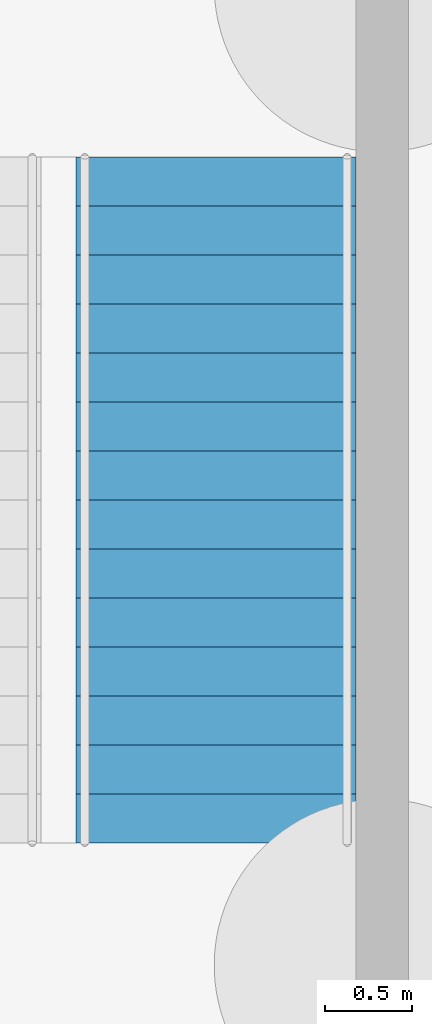
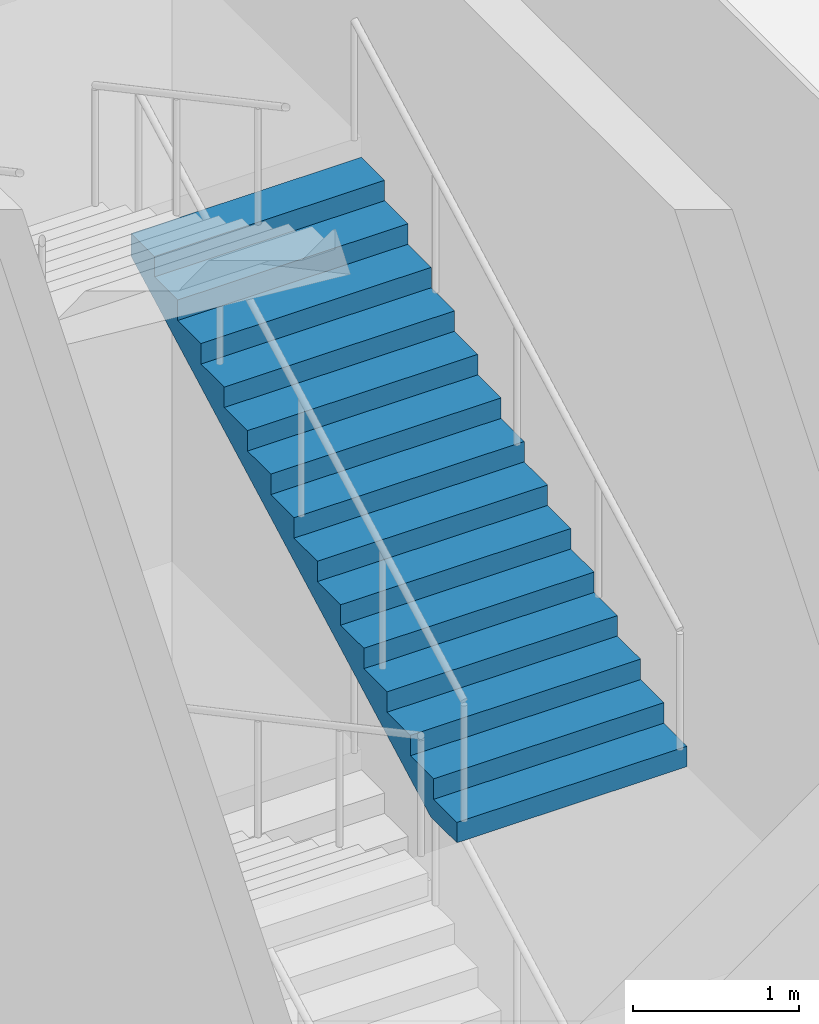
# One storey, part 107 of 113: 1 stair flight, 1 element without a shape of its own.
"""IFC4 building model written with IfcOpenShell, lengths in metres."""

from ifc_helpers import new_model, si_unit, direction, frame, origin, place, context, subcontext, project, spatial, triangles, material, type_object, element, aggregate, save


model = new_model("IFC4")

# Units and contexts
model_context = context("Model", 3, precision=1e-05, world=origin(), true_north=direction((0.0, 1.0)))
body_context = subcontext(model_context, "Body", "Model", "MODEL_VIEW")
ifc_project = project(units=[si_unit("LENGTHUNIT", "METRE"), si_unit("AREAUNIT", "SQUARE_METRE"), si_unit("VOLUMEUNIT", "CUBIC_METRE"), si_unit("PLANEANGLEUNIT", "RADIAN"), si_unit("MASSUNIT", "GRAM", prefix="KILO")], contexts=[model_context])

# Site, building, storey
site_placement = place(None, origin())
site = spatial("IfcSite", under=ifc_project, at=site_placement, CompositionType="ELEMENT")
building_placement = place(site_placement, origin())
building = spatial("IfcBuilding", under=site, at=building_placement, Name="Hakoniwa Tower and Hamabe Station Hall", CompositionType="ELEMENT")
storey_placement = place(building_placement, origin())
storey = spatial("IfcBuildingStorey", under=building, at=storey_placement, Name="L01", CompositionType="ELEMENT", Elevation=0.0)

# Stair, stair flight
ifc_material_1 = material(Name="Concrete C40", Category="concrete")
stair_type = type_object("IfcStairType", Name="STAIR 1600 15X150", PredefinedType="HALF_TURN_STAIR", material=ifc_material_1)
stair_placement = place(storey_placement, origin())
stair = element("IfcStair", 1, at=stair_placement, inside=storey, type_object=stair_type, Name="Escape stair SS2 L01", PredefinedType="HALF_TURN_STAIR")
ifc_material_2 = material(Name="Concrete C40", Category="concrete")
stair_flight_type = type_object("IfcStairFlightType", Name="STAIR FLIGHT 1600", PredefinedType="STRAIGHT", material=ifc_material_2)
stair_flight_placement = place(storey_placement, frame((167.64990234375, 16.89990234375, 4.5), z_axis=(0.0, 0.0, 1.0), x_axis=(0.0, 1.0, 0.0)))
stair_flight = element("IfcStairFlight", 2, at=stair_flight_placement, type_object=stair_flight_type, Name="SS2 flight 3", NumberOfRisers=15, NumberOfTreads=14, PredefinedType="STRAIGHT", RiserHeight=0.15, TreadLength=0.28, context=body_context, shape_type="Tessellation", body=[
    triangles([(0.0, 0.800048828125, 0.0), (0.280029296875, 0.800048828125, 0.0), (0.3173828125, 0.800048828125, 0.0), (0.56005859375, 0.800048828125, 0.1298828125), (0.840087890625, 0.800048828125, 0.280029296875), (1.1201171875, 0.800048828125, 0.429931640625), (1.39990234375, 0.800048828125, 0.579833984375), (1.679931640625, 0.800048828125, 0.72998046875), (1.9599609375, 0.800048828125, 0.8798828125), (2.239990234375, 0.800048828125, 1.030029296875), (2.52001953125, 0.800048828125, 1.179931640625), (2.800048828125, 0.800048828125, 1.329833984375), (3.080078125, 0.800048828125, 1.47998046875), (3.360107421875, 0.800048828125, 1.6298828125), (3.639892578125, 0.800048828125, 1.780029296875), (3.919921875, 0.800048828125, 1.929931640625), (3.919921875, 0.800048828125, 2.10009765625), (3.639892578125, 0.800048828125, 2.10009765625), (3.639892578125, 0.800048828125, 1.949951171875), (3.360107421875, 0.800048828125, 1.949951171875), (3.360107421875, 0.800048828125, 1.800048828125), (3.080078125, 0.800048828125, 1.800048828125), (3.080078125, 0.800048828125, 1.64990234375), (2.800048828125, 0.800048828125, 1.64990234375), (2.800048828125, 0.800048828125, 1.5), (2.52001953125, 0.800048828125, 1.5), (2.52001953125, 0.800048828125, 1.35009765625), (2.239990234375, 0.800048828125, 1.35009765625), (2.239990234375, 0.800048828125, 1.199951171875), (1.9599609375, 0.800048828125, 1.199951171875), (1.9599609375, 0.800048828125, 1.050048828125), (1.679931640625, 0.800048828125, 1.050048828125), (1.679931640625, 0.800048828125, 0.89990234375), (1.39990234375, 0.800048828125, 0.89990234375), (1.39990234375, 0.800048828125, 0.75), (1.1201171875, 0.800048828125, 0.75), (1.1201171875, 0.800048828125, 0.60009765625), (0.840087890625, 0.800048828125, 0.60009765625), (0.840087890625, 0.800048828125, 0.449951171875), (0.56005859375, 0.800048828125, 0.449951171875), (0.56005859375, 0.800048828125, 0.300048828125), (0.3173828125, 0.800048828125, 0.300048828125), (0.280029296875, 0.800048828125, 0.300048828125), (0.280029296875, 0.800048828125, 0.14990234375), (0.0, 0.800048828125, 0.14990234375), (0.0, 0.06005859375, 0.0), (0.280029296875, 0.06005859375, 0.0), (0.3173828125, 0.06005859375, 0.0), (0.56005859375, 0.06005859375, 0.1298828125), (0.840087890625, 0.06005859375, 0.280029296875), (1.1201171875, 0.06005859375, 0.429931640625), (1.39990234375, 0.06005859375, 0.579833984375), (1.679931640625, 0.06005859375, 0.72998046875), (1.9599609375, 0.06005859375, 0.8798828125), (2.239990234375, 0.06005859375, 1.030029296875), (2.52001953125, 0.06005859375, 1.179931640625), (2.800048828125, 0.06005859375, 1.329833984375), (3.080078125, 0.06005859375, 1.47998046875), (3.360107421875, 0.06005859375, 1.6298828125), (3.639892578125, 0.06005859375, 1.780029296875), (3.919921875, 0.06005859375, 1.929931640625), (3.919921875, 0.06005859375, 2.10009765625), (3.639892578125, 0.06005859375, 2.10009765625), (3.639892578125, 0.06005859375, 1.949951171875), (3.360107421875, 0.06005859375, 1.949951171875), (3.360107421875, 0.06005859375, 1.800048828125), (3.080078125, 0.06005859375, 1.800048828125), (3.080078125, 0.06005859375, 1.64990234375), (2.800048828125, 0.06005859375, 1.64990234375), (2.800048828125, 0.06005859375, 1.5), (2.52001953125, 0.06005859375, 1.5), (2.52001953125, 0.06005859375, 1.35009765625), (2.239990234375, 0.06005859375, 1.35009765625), (2.239990234375, 0.06005859375, 1.199951171875), (1.9599609375, 0.06005859375, 1.199951171875), (1.9599609375, 0.06005859375, 1.050048828125), (1.679931640625, 0.06005859375, 1.050048828125), (1.679931640625, 0.06005859375, 0.89990234375), (1.39990234375, 0.06005859375, 0.89990234375), (1.39990234375, 0.06005859375, 0.75), (1.1201171875, 0.06005859375, 0.75), (1.1201171875, 0.06005859375, 0.60009765625), (0.840087890625, 0.06005859375, 0.60009765625), (0.840087890625, 0.06005859375, 0.449951171875), (0.56005859375, 0.06005859375, 0.449951171875), (0.56005859375, 0.06005859375, 0.300048828125), (0.3173828125, 0.06005859375, 0.300048828125), (0.280029296875, 0.06005859375, 0.300048828125), (0.280029296875, 0.06005859375, 0.14990234375), (0.0, 0.06005859375, 0.14990234375), (0.0, 0.02001953125, 0.0), (0.280029296875, 0.02001953125, 0.0), (0.3173828125, 0.02001953125, 0.0), (0.56005859375, 0.02001953125, 0.1298828125), (0.840087890625, 0.02001953125, 0.280029296875), (1.1201171875, 0.02001953125, 0.429931640625), (1.39990234375, 0.02001953125, 0.579833984375), (1.679931640625, 0.02001953125, 0.72998046875), (1.9599609375, 0.02001953125, 0.8798828125), (2.239990234375, 0.02001953125, 1.030029296875), (2.52001953125, 0.02001953125, 1.179931640625), (2.800048828125, 0.02001953125, 1.329833984375), (3.080078125, 0.02001953125, 1.47998046875), (3.360107421875, 0.02001953125, 1.6298828125), (3.639892578125, 0.02001953125, 1.780029296875), (3.919921875, 0.02001953125, 1.929931640625), (3.919921875, 0.02001953125, 2.10009765625), (3.639892578125, 0.02001953125, 2.10009765625), (3.639892578125, 0.02001953125, 1.949951171875), (3.360107421875, 0.02001953125, 1.949951171875), (3.360107421875, 0.02001953125, 1.800048828125), (3.080078125, 0.02001953125, 1.800048828125), (3.080078125, 0.02001953125, 1.64990234375), (2.800048828125, 0.02001953125, 1.64990234375), (2.800048828125, 0.02001953125, 1.5), (2.52001953125, 0.02001953125, 1.5), (2.52001953125, 0.02001953125, 1.35009765625), (2.239990234375, 0.02001953125, 1.35009765625), (2.239990234375, 0.02001953125, 1.199951171875), (1.9599609375, 0.02001953125, 1.199951171875), (1.9599609375, 0.02001953125, 1.050048828125), (1.679931640625, 0.02001953125, 1.050048828125), (1.679931640625, 0.02001953125, 0.89990234375), (1.39990234375, 0.02001953125, 0.89990234375), (1.39990234375, 0.02001953125, 0.75), (1.1201171875, 0.02001953125, 0.75), (1.1201171875, 0.02001953125, 0.60009765625), (0.840087890625, 0.02001953125, 0.60009765625), (0.840087890625, 0.02001953125, 0.449951171875), (0.56005859375, 0.02001953125, 0.449951171875), (0.56005859375, 0.02001953125, 0.300048828125), (0.3173828125, 0.02001953125, 0.300048828125), (0.280029296875, 0.02001953125, 0.300048828125), (0.280029296875, 0.02001953125, 0.14990234375), (0.0, 0.02001953125, 0.14990234375), (0.0, -0.02001953125, 0.0), (0.280029296875, -0.02001953125, 0.0), (0.3173828125, -0.02001953125, 0.0), (0.56005859375, -0.02001953125, 0.1298828125), (0.840087890625, -0.02001953125, 0.280029296875), (1.1201171875, -0.02001953125, 0.429931640625), (1.39990234375, -0.02001953125, 0.579833984375), (1.679931640625, -0.02001953125, 0.72998046875), (1.9599609375, -0.02001953125, 0.8798828125), (2.239990234375, -0.02001953125, 1.030029296875), (2.52001953125, -0.02001953125, 1.179931640625), (2.800048828125, -0.02001953125, 1.329833984375), (3.080078125, -0.02001953125, 1.47998046875), (3.360107421875, -0.02001953125, 1.6298828125), (3.639892578125, -0.02001953125, 1.780029296875), (3.919921875, -0.02001953125, 1.929931640625), (3.919921875, -0.02001953125, 2.10009765625), (3.639892578125, -0.02001953125, 2.10009765625), (3.639892578125, -0.02001953125, 1.949951171875), (3.360107421875, -0.02001953125, 1.949951171875), (3.360107421875, -0.02001953125, 1.800048828125), (3.080078125, -0.02001953125, 1.800048828125), (3.080078125, -0.02001953125, 1.64990234375), (2.800048828125, -0.02001953125, 1.64990234375), (2.800048828125, -0.02001953125, 1.5), (2.52001953125, -0.02001953125, 1.5), (2.52001953125, -0.02001953125, 1.35009765625), (2.239990234375, -0.02001953125, 1.35009765625), (2.239990234375, -0.02001953125, 1.199951171875), (1.9599609375, -0.02001953125, 1.199951171875), (1.9599609375, -0.02001953125, 1.050048828125), (1.679931640625, -0.02001953125, 1.050048828125), (1.679931640625, -0.02001953125, 0.89990234375), (1.39990234375, -0.02001953125, 0.89990234375), (1.39990234375, -0.02001953125, 0.75), (1.1201171875, -0.02001953125, 0.75), (1.1201171875, -0.02001953125, 0.60009765625), (0.840087890625, -0.02001953125, 0.60009765625), (0.840087890625, -0.02001953125, 0.449951171875), (0.56005859375, -0.02001953125, 0.449951171875), (0.56005859375, -0.02001953125, 0.300048828125), (0.3173828125, -0.02001953125, 0.300048828125), (0.280029296875, -0.02001953125, 0.300048828125), (0.280029296875, -0.02001953125, 0.14990234375), (0.0, -0.02001953125, 0.14990234375), (0.0, -0.06005859375, 0.0), (0.280029296875, -0.06005859375, 0.0), (0.3173828125, -0.06005859375, 0.0), (0.56005859375, -0.06005859375, 0.1298828125), (0.840087890625, -0.06005859375, 0.280029296875), (1.1201171875, -0.06005859375, 0.429931640625), (1.39990234375, -0.06005859375, 0.579833984375), (1.679931640625, -0.06005859375, 0.72998046875), (1.9599609375, -0.06005859375, 0.8798828125), (2.239990234375, -0.06005859375, 1.030029296875), (2.52001953125, -0.06005859375, 1.179931640625), (2.800048828125, -0.06005859375, 1.329833984375), (3.080078125, -0.06005859375, 1.47998046875), (3.360107421875, -0.06005859375, 1.6298828125), (3.639892578125, -0.06005859375, 1.780029296875), (3.919921875, -0.06005859375, 1.929931640625), (3.919921875, -0.06005859375, 2.10009765625), (3.639892578125, -0.06005859375, 2.10009765625), (3.639892578125, -0.06005859375, 1.949951171875), (3.360107421875, -0.06005859375, 1.949951171875), (3.360107421875, -0.06005859375, 1.800048828125), (3.080078125, -0.06005859375, 1.800048828125), (3.080078125, -0.06005859375, 1.64990234375), (2.800048828125, -0.06005859375, 1.64990234375), (2.800048828125, -0.06005859375, 1.5), (2.52001953125, -0.06005859375, 1.5), (2.52001953125, -0.06005859375, 1.35009765625), (2.239990234375, -0.06005859375, 1.35009765625), (2.239990234375, -0.06005859375, 1.199951171875), (1.9599609375, -0.06005859375, 1.199951171875), (1.9599609375, -0.06005859375, 1.050048828125), (1.679931640625, -0.06005859375, 1.050048828125), (1.679931640625, -0.06005859375, 0.89990234375), (1.39990234375, -0.06005859375, 0.89990234375), (1.39990234375, -0.06005859375, 0.75), (1.1201171875, -0.06005859375, 0.75), (1.1201171875, -0.06005859375, 0.60009765625), (0.840087890625, -0.06005859375, 0.60009765625), (0.840087890625, -0.06005859375, 0.449951171875), (0.56005859375, -0.06005859375, 0.449951171875), (0.56005859375, -0.06005859375, 0.300048828125), (0.3173828125, -0.06005859375, 0.300048828125), (0.280029296875, -0.06005859375, 0.300048828125), (0.280029296875, -0.06005859375, 0.14990234375), (0.0, -0.06005859375, 0.14990234375), (0.0, -0.800048828125, 0.0), (0.280029296875, -0.800048828125, 0.0), (0.3173828125, -0.800048828125, 0.0), (0.56005859375, -0.800048828125, 0.1298828125), (0.840087890625, -0.800048828125, 0.280029296875), (1.1201171875, -0.800048828125, 0.429931640625), (1.39990234375, -0.800048828125, 0.579833984375), (1.679931640625, -0.800048828125, 0.72998046875), (1.9599609375, -0.800048828125, 0.8798828125), (2.239990234375, -0.800048828125, 1.030029296875), (2.52001953125, -0.800048828125, 1.179931640625), (2.800048828125, -0.800048828125, 1.329833984375), (3.080078125, -0.800048828125, 1.47998046875), (3.360107421875, -0.800048828125, 1.6298828125), (3.639892578125, -0.800048828125, 1.780029296875), (3.919921875, -0.800048828125, 1.929931640625), (3.919921875, -0.800048828125, 2.10009765625), (3.639892578125, -0.800048828125, 2.10009765625), (3.639892578125, -0.800048828125, 1.949951171875), (3.360107421875, -0.800048828125, 1.949951171875), (3.360107421875, -0.800048828125, 1.800048828125), (3.080078125, -0.800048828125, 1.800048828125), (3.080078125, -0.800048828125, 1.64990234375), (2.800048828125, -0.800048828125, 1.64990234375), (2.800048828125, -0.800048828125, 1.5), (2.52001953125, -0.800048828125, 1.5), (2.52001953125, -0.800048828125, 1.35009765625), (2.239990234375, -0.800048828125, 1.35009765625), (2.239990234375, -0.800048828125, 1.199951171875), (1.9599609375, -0.800048828125, 1.199951171875), (1.9599609375, -0.800048828125, 1.050048828125), (1.679931640625, -0.800048828125, 1.050048828125), (1.679931640625, -0.800048828125, 0.89990234375), (1.39990234375, -0.800048828125, 0.89990234375), (1.39990234375, -0.800048828125, 0.75), (1.1201171875, -0.800048828125, 0.75), (1.1201171875, -0.800048828125, 0.60009765625), (0.840087890625, -0.800048828125, 0.60009765625), (0.840087890625, -0.800048828125, 0.449951171875), (0.56005859375, -0.800048828125, 0.449951171875), (0.56005859375, -0.800048828125, 0.300048828125), (0.3173828125, -0.800048828125, 0.300048828125), (0.280029296875, -0.800048828125, 0.300048828125), (0.280029296875, -0.800048828125, 0.14990234375), (0.0, -0.800048828125, 0.14990234375)], [[2, 45, 44], [227, 269, 270], [2, 1, 45], [227, 270, 226], [3, 43, 42], [228, 267, 268], [3, 44, 43], [228, 268, 269], [3, 2, 44], [228, 269, 227], [4, 42, 41], [229, 266, 267], [4, 3, 42], [229, 267, 228], [5, 40, 39], [230, 264, 265], [5, 41, 40], [230, 265, 266], [5, 4, 41], [230, 266, 229], [6, 38, 37], [231, 262, 263], [6, 39, 38], [231, 263, 264], [6, 5, 39], [231, 264, 230], [7, 36, 35], [232, 260, 261], [7, 37, 36], [232, 261, 262], [7, 6, 37], [232, 262, 231], [8, 34, 33], [233, 258, 259], [8, 35, 34], [233, 259, 260], [8, 7, 35], [233, 260, 232], [9, 32, 31], [234, 256, 257], [9, 33, 32], [234, 257, 258], [9, 8, 33], [234, 258, 233], [10, 30, 29], [235, 254, 255], [10, 31, 30], [235, 255, 256], [10, 9, 31], [235, 256, 234], [11, 28, 27], [236, 252, 253], [11, 29, 28], [236, 253, 254], [11, 10, 29], [236, 254, 235], [12, 26, 25], [237, 250, 251], [12, 27, 26], [237, 251, 252], [12, 11, 27], [237, 252, 236], [13, 24, 23], [238, 248, 249], [13, 25, 24], [238, 249, 250], [13, 12, 25], [238, 250, 237], [14, 22, 21], [239, 246, 247], [14, 23, 22], [239, 247, 248], [14, 13, 23], [239, 248, 238], [15, 20, 19], [240, 244, 245], [15, 21, 20], [240, 245, 246], [15, 14, 21], [240, 246, 239], [16, 18, 17], [241, 242, 243], [16, 19, 18], [241, 243, 244], [16, 15, 19], [241, 244, 240], [1, 2, 47], [1, 47, 46], [46, 47, 92], [46, 92, 91], [91, 92, 137], [91, 137, 136], [136, 137, 182], [136, 182, 181], [181, 182, 227], [181, 227, 226], [2, 3, 48], [2, 48, 47], [47, 48, 93], [47, 93, 92], [92, 93, 138], [92, 138, 137], [137, 138, 183], [137, 183, 182], [182, 183, 228], [182, 228, 227], [3, 4, 49], [3, 49, 48], [48, 49, 94], [48, 94, 93], [93, 94, 139], [93, 139, 138], [138, 139, 184], [138, 184, 183], [183, 184, 229], [183, 229, 228], [4, 5, 50], [4, 50, 49], [49, 50, 95], [49, 95, 94], [94, 95, 140], [94, 140, 139], [139, 140, 185], [139, 185, 184], [184, 185, 230], [184, 230, 229], [5, 6, 51], [5, 51, 50], [50, 51, 96], [50, 96, 95], [95, 96, 141], [95, 141, 140], [140, 141, 186], [140, 186, 185], [185, 186, 231], [185, 231, 230], [6, 7, 52], [6, 52, 51], [51, 52, 97], [51, 97, 96], [96, 97, 142], [96, 142, 141], [141, 142, 187], [141, 187, 186], [186, 187, 232], [186, 232, 231], [7, 8, 53], [7, 53, 52], [52, 53, 98], [52, 98, 97], [97, 98, 143], [97, 143, 142], [142, 143, 188], [142, 188, 187], [187, 188, 233], [187, 233, 232], [8, 9, 54], [8, 54, 53], [53, 54, 99], [53, 99, 98], [98, 99, 144], [98, 144, 143], [143, 144, 189], [143, 189, 188], [188, 189, 234], [188, 234, 233], [9, 10, 55], [9, 55, 54], [54, 55, 100], [54, 100, 99], [99, 100, 145], [99, 145, 144], [144, 145, 190], [144, 190, 189], [189, 190, 235], [189, 235, 234], [10, 11, 56], [10, 56, 55], [55, 56, 101], [55, 101, 100], [100, 101, 146], [100, 146, 145], [145, 146, 191], [145, 191, 190], [190, 191, 236], [190, 236, 235], [11, 12, 57], [11, 57, 56], [56, 57, 102], [56, 102, 101], [101, 102, 147], [101, 147, 146], [146, 147, 192], [146, 192, 191], [191, 192, 237], [191, 237, 236], [12, 13, 58], [12, 58, 57], [57, 58, 103], [57, 103, 102], [102, 103, 148], [102, 148, 147], [147, 148, 193], [147, 193, 192], [192, 193, 238], [192, 238, 237], [13, 14, 59], [13, 59, 58], [58, 59, 104], [58, 104, 103], [103, 104, 149], [103, 149, 148], [148, 149, 194], [148, 194, 193], [193, 194, 239], [193, 239, 238], [14, 15, 60], [14, 60, 59], [59, 60, 105], [59, 105, 104], [104, 105, 150], [104, 150, 149], [149, 150, 195], [149, 195, 194], [194, 195, 240], [194, 240, 239], [15, 16, 61], [15, 61, 60], [60, 61, 106], [60, 106, 105], [105, 106, 151], [105, 151, 150], [150, 151, 196], [150, 196, 195], [195, 196, 241], [195, 241, 240], [16, 17, 62], [16, 62, 61], [61, 62, 107], [61, 107, 106], [106, 107, 152], [106, 152, 151], [151, 152, 197], [151, 197, 196], [196, 197, 242], [196, 242, 241], [17, 18, 63], [17, 63, 62], [62, 63, 108], [62, 108, 107], [107, 108, 153], [107, 153, 152], [152, 153, 198], [152, 198, 197], [197, 198, 243], [197, 243, 242], [18, 19, 64], [18, 64, 63], [63, 64, 109], [63, 109, 108], [108, 109, 154], [108, 154, 153], [153, 154, 199], [153, 199, 198], [198, 199, 244], [198, 244, 243], [19, 20, 65], [19, 65, 64], [64, 65, 110], [64, 110, 109], [109, 110, 155], [109, 155, 154], [154, 155, 200], [154, 200, 199], [199, 200, 245], [199, 245, 244], [20, 21, 66], [20, 66, 65], [65, 66, 111], [65, 111, 110], [110, 111, 156], [110, 156, 155], [155, 156, 201], [155, 201, 200], [200, 201, 246], [200, 246, 245], [21, 22, 67], [21, 67, 66], [66, 67, 112], [66, 112, 111], [111, 112, 157], [111, 157, 156], [156, 157, 202], [156, 202, 201], [201, 202, 247], [201, 247, 246], [22, 23, 68], [22, 68, 67], [67, 68, 113], [67, 113, 112], [112, 113, 158], [112, 158, 157], [157, 158, 203], [157, 203, 202], [202, 203, 248], [202, 248, 247], [23, 24, 69], [23, 69, 68], [68, 69, 114], [68, 114, 113], [113, 114, 159], [113, 159, 158], [158, 159, 204], [158, 204, 203], [203, 204, 249], [203, 249, 248], [24, 25, 70], [24, 70, 69], [69, 70, 115], [69, 115, 114], [114, 115, 160], [114, 160, 159], [159, 160, 205], [159, 205, 204], [204, 205, 250], [204, 250, 249], [25, 26, 71], [25, 71, 70], [70, 71, 116], [70, 116, 115], [115, 116, 161], [115, 161, 160], [160, 161, 206], [160, 206, 205], [205, 206, 251], [205, 251, 250], [26, 27, 72], [26, 72, 71], [71, 72, 117], [71, 117, 116], [116, 117, 162], [116, 162, 161], [161, 162, 207], [161, 207, 206], [206, 207, 252], [206, 252, 251], [27, 28, 73], [27, 73, 72], [72, 73, 118], [72, 118, 117], [117, 118, 163], [117, 163, 162], [162, 163, 208], [162, 208, 207], [207, 208, 253], [207, 253, 252], [28, 29, 74], [28, 74, 73], [73, 74, 119], [73, 119, 118], [118, 119, 164], [118, 164, 163], [163, 164, 209], [163, 209, 208], [208, 209, 254], [208, 254, 253], [29, 30, 75], [29, 75, 74], [74, 75, 120], [74, 120, 119], [119, 120, 165], [119, 165, 164], [164, 165, 210], [164, 210, 209], [209, 210, 255], [209, 255, 254], [30, 31, 76], [30, 76, 75], [75, 76, 121], [75, 121, 120], [120, 121, 166], [120, 166, 165], [165, 166, 211], [165, 211, 210], [210, 211, 256], [210, 256, 255], [31, 32, 77], [31, 77, 76], [76, 77, 122], [76, 122, 121], [121, 122, 167], [121, 167, 166], [166, 167, 212], [166, 212, 211], [211, 212, 257], [211, 257, 256], [32, 33, 78], [32, 78, 77], [77, 78, 123], [77, 123, 122], [122, 123, 168], [122, 168, 167], [167, 168, 213], [167, 213, 212], [212, 213, 258], [212, 258, 257], [33, 34, 79], [33, 79, 78], [78, 79, 124], [78, 124, 123], [123, 124, 169], [123, 169, 168], [168, 169, 214], [168, 214, 213], [213, 214, 259], [213, 259, 258], [34, 35, 80], [34, 80, 79], [79, 80, 125], [79, 125, 124], [124, 125, 170], [124, 170, 169], [169, 170, 215], [169, 215, 214], [214, 215, 260], [214, 260, 259], [35, 36, 81], [35, 81, 80], [80, 81, 126], [80, 126, 125], [125, 126, 171], [125, 171, 170], [170, 171, 216], [170, 216, 215], [215, 216, 261], [215, 261, 260], [36, 37, 82], [36, 82, 81], [81, 82, 127], [81, 127, 126], [126, 127, 172], [126, 172, 171], [171, 172, 217], [171, 217, 216], [216, 217, 262], [216, 262, 261], [37, 38, 83], [37, 83, 82], [82, 83, 128], [82, 128, 127], [127, 128, 173], [127, 173, 172], [172, 173, 218], [172, 218, 217], [217, 218, 263], [217, 263, 262], [38, 39, 84], [38, 84, 83], [83, 84, 129], [83, 129, 128], [128, 129, 174], [128, 174, 173], [173, 174, 219], [173, 219, 218], [218, 219, 264], [218, 264, 263], [39, 40, 85], [39, 85, 84], [84, 85, 130], [84, 130, 129], [129, 130, 175], [129, 175, 174], [174, 175, 220], [174, 220, 219], [219, 220, 265], [219, 265, 264], [40, 41, 86], [40, 86, 85], [85, 86, 131], [85, 131, 130], [130, 131, 176], [130, 176, 175], [175, 176, 221], [175, 221, 220], [220, 221, 266], [220, 266, 265], [41, 42, 87], [41, 87, 86], [86, 87, 132], [86, 132, 131], [131, 132, 177], [131, 177, 176], [176, 177, 222], [176, 222, 221], [221, 222, 267], [221, 267, 266], [42, 43, 88], [42, 88, 87], [87, 88, 133], [87, 133, 132], [132, 133, 178], [132, 178, 177], [177, 178, 223], [177, 223, 222], [222, 223, 268], [222, 268, 267], [43, 44, 89], [43, 89, 88], [88, 89, 134], [88, 134, 133], [133, 134, 179], [133, 179, 178], [178, 179, 224], [178, 224, 223], [223, 224, 269], [223, 269, 268], [44, 45, 90], [44, 90, 89], [89, 90, 135], [89, 135, 134], [134, 135, 180], [134, 180, 179], [179, 180, 225], [179, 225, 224], [224, 225, 270], [224, 270, 269], [45, 1, 46], [45, 46, 90], [90, 46, 91], [90, 91, 135], [135, 91, 136], [135, 136, 180], [180, 136, 181], [180, 181, 225], [225, 181, 226], [225, 226, 270]], closed=True),
])
aggregate(stair, [stair_flight])

save(model, "model.ifc")
